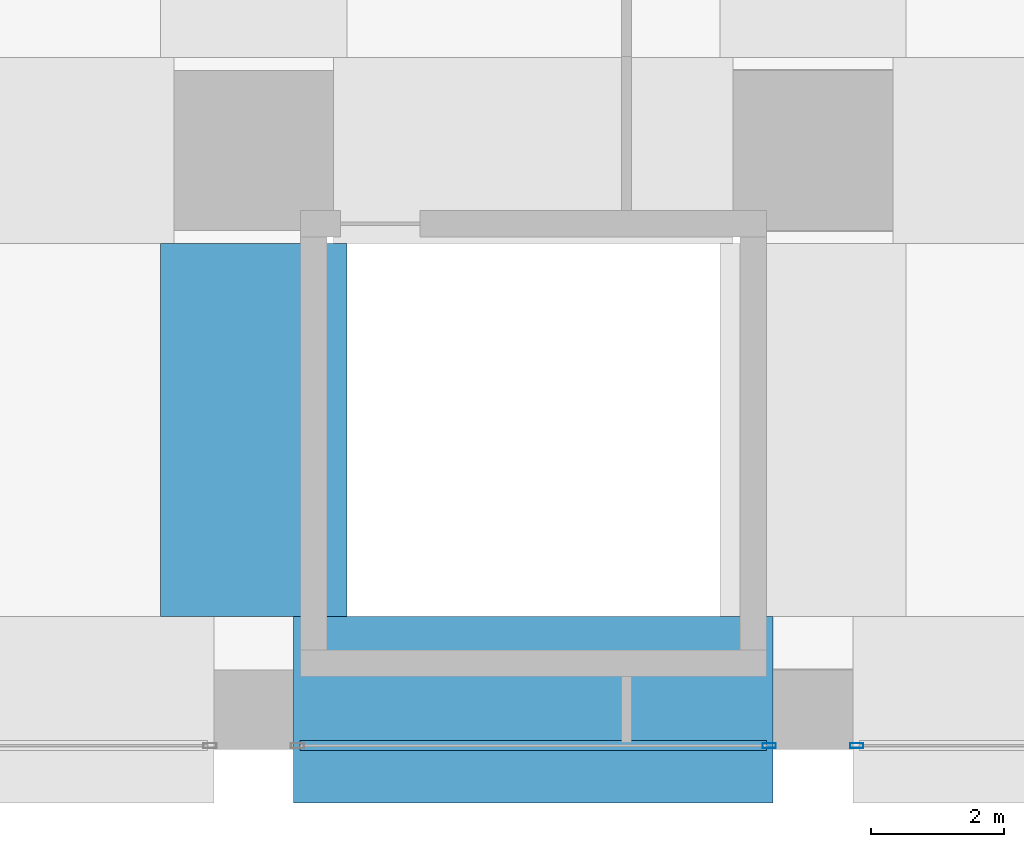
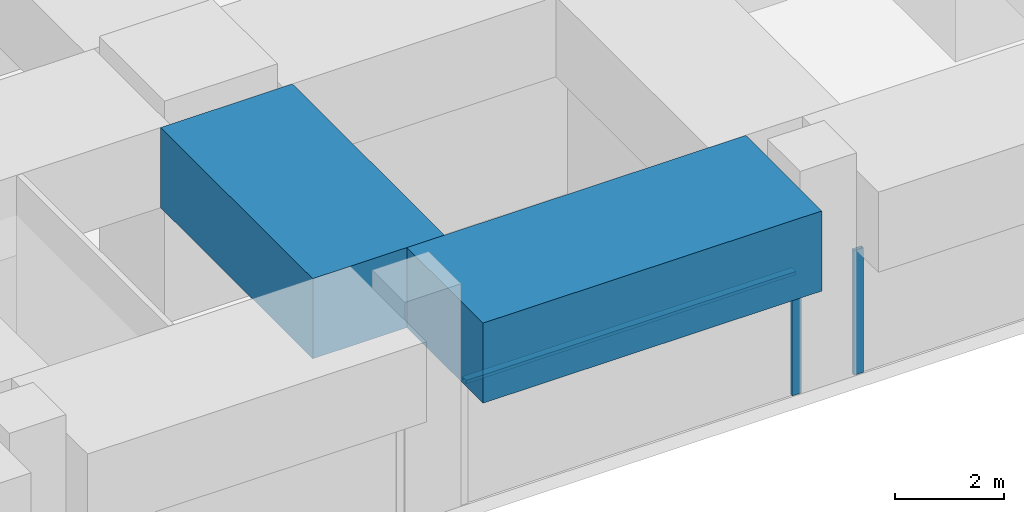
# One storey, part 7 of 52: 3 members, 2 beams, 2 elements without a shape of their own.
"""IFC4 building model written with IfcOpenShell, lengths in metres."""

from ifc_helpers import new_model, si_unit, direction, frame, origin, origin_2d, place, context, subcontext, project, spatial, rectangle, hollow_rectangle, extrude, material, material_profile, profile_set, type_object, element, aggregate, save


model = new_model("IFC4")

# Units and contexts
model_context = context("Model", 3, precision=1e-05, world=origin(), true_north=direction((0.0, 1.0)))
body_context = subcontext(model_context, "Body", "Model", "MODEL_VIEW")
ifc_project = project(units=[si_unit("LENGTHUNIT", "METRE"), si_unit("AREAUNIT", "SQUARE_METRE"), si_unit("VOLUMEUNIT", "CUBIC_METRE"), si_unit("PLANEANGLEUNIT", "RADIAN"), si_unit("MASSUNIT", "GRAM", prefix="KILO")], contexts=[model_context])

# Site, building, storey
site_placement = place(None, origin())
site = spatial("IfcSite", under=ifc_project, at=site_placement, CompositionType="ELEMENT")
building_placement = place(site_placement, origin())
building = spatial("IfcBuilding", under=site, at=building_placement, Name="Rekha Terrace Tower", CompositionType="ELEMENT")
storey_placement = place(building_placement, frame((0.0, 0.0, 20.39990234375)))
storey = spatial("IfcBuildingStorey", under=building, at=storey_placement, Name="L04", CompositionType="ELEMENT", Elevation=20.39990234375)

# Curtain wall, member
ifc_material_1 = material(Name="Aluminium framing", Category="aluminium")
curtain_wall_type = type_object("IfcCurtainWallType", Name="CW4 podium shopfront glazing", PredefinedType="USERDEFINED", material=ifc_material_1)
curtain_wall_1_placement = place(storey_placement, origin())
curtain_wall_1 = element("IfcCurtainWall", 1, at=curtain_wall_1_placement, inside=storey, type_object=curtain_wall_type, Name="CW4 shopfront curtain wall", ObjectType="SHOPFRONT CURTAIN WALL", PredefinedType="USERDEFINED")
ifc_material_2 = material(Name="Aluminium mullion section", Category="aluminium")
ifc_material_profile_1 = material_profile(ifc_material_2, hollow_rectangle(XDim=0.074951171875, YDim=0.199951171875, WallThickness=0.00390625, at=origin_2d()), Name="AL RHS 75x200")
ifc_profile_set_1 = profile_set([ifc_material_profile_1], Name="Aluminium mullion section")
member_type_1 = type_object("IfcMemberType", Name="CW4 mullion RHS 75 x 200", PredefinedType="MULLION", material=ifc_profile_set_1)
member_1_placement = place(storey_placement, frame((24.54248046875, -0.5400390625, 0.0), z_axis=(0.0, 0.0, 1.0), x_axis=(0.0, 1.0, 0.0)))
member_1 = element("IfcMember", 2, at=member_1_placement, type_object=member_type_1, Name="CW4 mullion 2", PredefinedType="MULLION", context=body_context, shape_type="SweptSolid", body=[
    extrude(hollow_rectangle(XDim=0.074951171875, YDim=0.199951171875, WallThickness=0.00390625, at=origin_2d()), origin(), (0.0, 0.0, 1.0), 2.800048828125),
])

curtain_wall_2_placement = place(storey_placement, origin())
curtain_wall_2 = element("IfcCurtainWall", 3, at=curtain_wall_2_placement, inside=storey, type_object=curtain_wall_type, Name="CW4 shopfront curtain wall", ObjectType="SHOPFRONT CURTAIN WALL", PredefinedType="USERDEFINED")
member_2_placement = place(storey_placement, frame((25.857421875, -0.5400390625, 0.0), z_axis=(0.0, 0.0, 1.0), x_axis=(0.0, 1.0, 0.0)))
member_2 = element("IfcMember", 4, at=member_2_placement, type_object=member_type_1, Name="CW4 mullion 1", PredefinedType="MULLION", context=body_context, shape_type="SweptSolid", body=[
    extrude(hollow_rectangle(XDim=0.074951171875, YDim=0.199951171875, WallThickness=0.00390625, at=origin_2d()), origin(), (0.0, 0.0, 1.0), 2.800048828125),
])
aggregate(curtain_wall_2, [member_2])

# Member
ifc_material_3 = material(Name="Aluminium transom section", Category="aluminium")
ifc_material_profile_2 = material_profile(ifc_material_3, hollow_rectangle(XDim=0.14990234375, YDim=0.074951171875, WallThickness=0.0029296875, at=origin_2d()), Name="AL RHS 150x75")
ifc_profile_set_2 = profile_set([ifc_material_profile_2], Name="Aluminium transom section")
member_type_2 = type_object("IfcMemberType", Name="CW4 transom RHS 75 x 150", PredefinedType="USERDEFINED", material=ifc_profile_set_2)
member_3_placement = place(storey_placement, frame((17.4951171875, -0.5400390625, 2.7626953125), z_axis=(1.0, 0.0, 0.0), x_axis=(0.0, 1.0, 0.0)))
member_3 = element("IfcMember", 5, at=member_3_placement, type_object=member_type_2, Name="CW4 transom 1.2", ObjectType="TRANSOM", PredefinedType="USERDEFINED", context=body_context, shape_type="SweptSolid", body=[
    extrude(hollow_rectangle(XDim=0.14990234375, YDim=0.074951171875, WallThickness=0.0029296875, at=origin_2d()), origin(), (0.0, 0.0, 1.0), 7.009765625),
])

aggregate(curtain_wall_1, [member_1, member_3])

# Beams
ifc_material_4 = material(Name="Concrete M70", Category="concrete")
ifc_material_profile_3 = material_profile(ifc_material_4, rectangle(XDim=2.800048828125, YDim=1.800048828125, at=origin_2d()), Name="RC 2800x1800")
ifc_profile_set_3 = profile_set([ifc_material_profile_3], Name="Concrete M70")
beam_type = type_object("IfcBeamType", Name="G2 2800x1800 podium roof band beam", PredefinedType="BEAM", material=ifc_profile_set_3)
beam_1_placement = place(storey_placement, frame((17.39990234375, 0.0, 3.7001953125), z_axis=(1.0, 0.0, 0.0), x_axis=(0.0, 1.0, 0.0)))
element("IfcBeam", 6, at=beam_1_placement, inside=storey, type_object=beam_type, Name="Beam G2 3A-4A under L05", PredefinedType="BEAM", context=body_context, shape_type="SweptSolid", body=[
    extrude(rectangle(XDim=2.800048828125, YDim=1.800048828125, at=origin_2d()), origin(), (0.0, 0.0, 1.0), 7.2001953125),
])
beam_2_placement = place(storey_placement, frame((16.800048828125, 1.39990234375, 3.7001953125), z_axis=(0.0, 1.0, 0.0), x_axis=(-1.0, 0.0, 0.0)))
element("IfcBeam", 7, at=beam_2_placement, inside=storey, type_object=beam_type, Name="Beam G2 3A-3B under L05", PredefinedType="BEAM", context=body_context, shape_type="SweptSolid", body=[
    extrude(rectangle(XDim=2.800048828125, YDim=1.800048828125, at=origin_2d()), origin(), (0.0, 0.0, 1.0), 5.60009765625),
])

save(model, "model.ifc")
